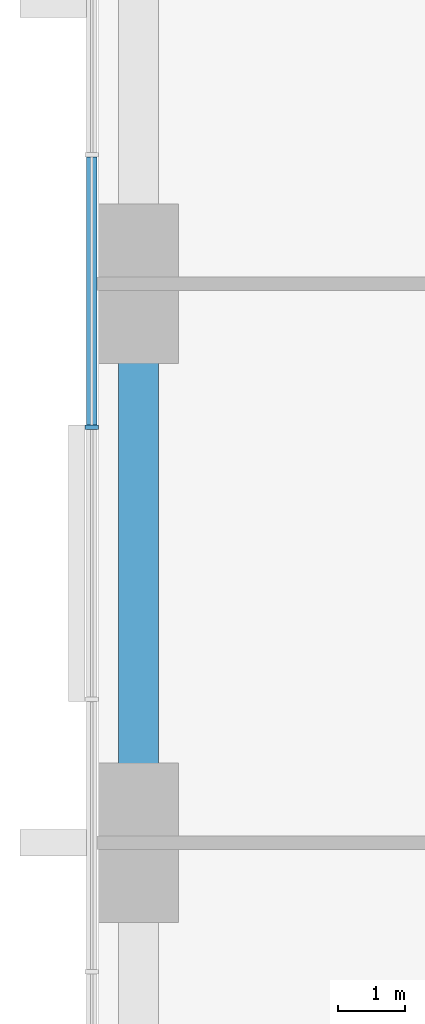
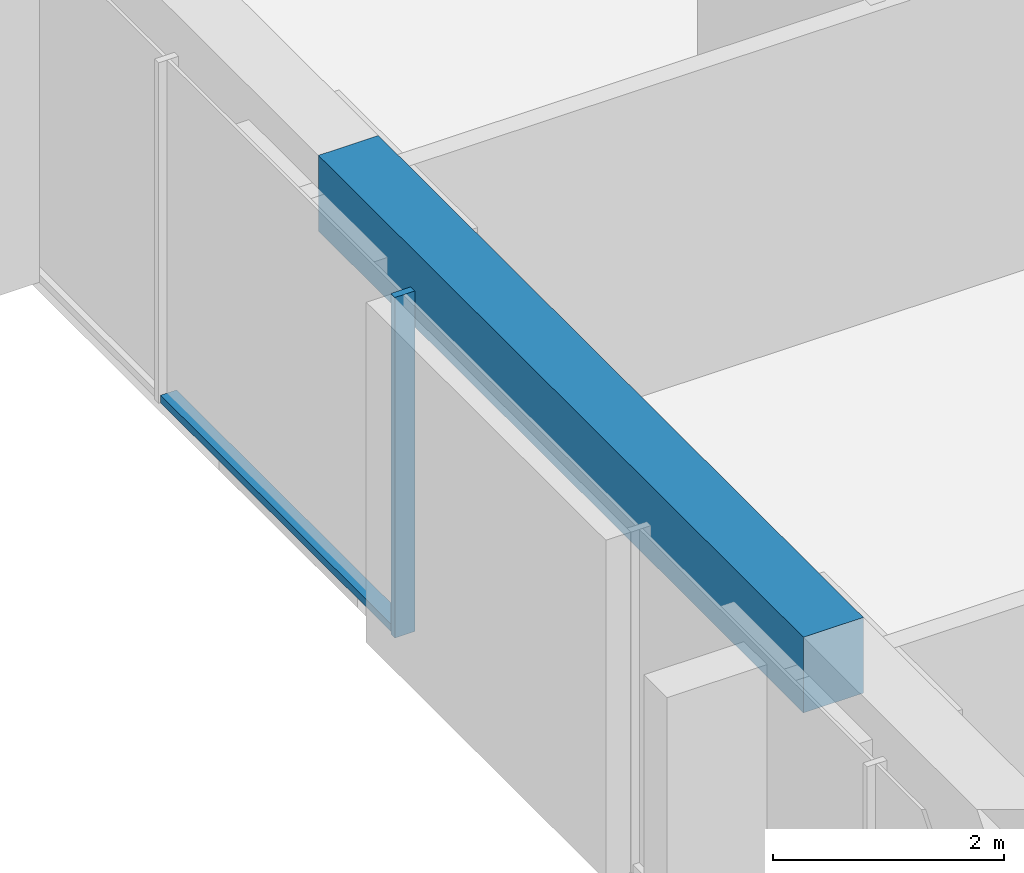
# One storey, part 3 of 13: 2 members, 1 beam, 1 element without a shape of its own.
"""IFC4 building model written with IfcOpenShell, lengths in metres."""

from ifc_helpers import new_model, si_unit, direction, frame, origin, origin_2d, place, context, subcontext, project, spatial, rectangle, extrude, material, material_profile, profile_set, type_object, element, aggregate, save


model = new_model("IFC4")

# Units and contexts
model_context = context("Model", 3, precision=1e-05, world=origin(), true_north=direction((0.0, 1.0)))
body_context = subcontext(model_context, "Body", "Model", "MODEL_VIEW")
ifc_project = project(units=[si_unit("LENGTHUNIT", "METRE"), si_unit("AREAUNIT", "SQUARE_METRE"), si_unit("VOLUMEUNIT", "CUBIC_METRE"), si_unit("PLANEANGLEUNIT", "RADIAN"), si_unit("MASSUNIT", "GRAM", prefix="KILO")], contexts=[model_context])

# Site, building, storey
site_placement = place(None, origin())
site = spatial("IfcSite", under=ifc_project, at=site_placement, CompositionType="ELEMENT")
building_placement = place(site_placement, origin())
building = spatial("IfcBuilding", under=site, at=building_placement, Name="Dunama Terrace Hotel", CompositionType="ELEMENT")
storey_placement = place(building_placement, frame((0.0, 0.0, 195.0)))
storey = spatial("IfcBuildingStorey", under=building, at=storey_placement, Name="L50", CompositionType="ELEMENT", Elevation=195.0)

# Curtain wall, members
ifc_material_1 = material(Name="Aluminium curtain wall system", Category="aluminium")
curtain_wall_type = type_object("IfcCurtainWallType", Name="Unitised fritted glass wall CW-C", PredefinedType="NOTDEFINED", material=ifc_material_1)
curtain_wall_placement = place(storey_placement, origin())
curtain_wall = element("IfcCurtainWall", 1, at=curtain_wall_placement, inside=storey, type_object=curtain_wall_type, Name="Unitised fritted glass wall CW-C L50", PredefinedType="NOTDEFINED")
ifc_material_2 = material(Name="Aluminium mullion", Category="aluminium")
ifc_material_profile_1 = material_profile(ifc_material_2, rectangle(XDim=0.070068359375, YDim=0.199951171875, at=origin_2d()), Name="CWC MULLION 70X200")
ifc_profile_set_1 = profile_set([ifc_material_profile_1], Name="Aluminium mullion")
member_type_1 = type_object("IfcMemberType", Name="CWC mullion 70x200", PredefinedType="MULLION", material=ifc_profile_set_1)
member_1_placement = place(storey_placement, frame((4.10009765625, 31.445068359375, 0.0), z_axis=(0.0, 0.0, 1.0), x_axis=(0.0, -1.0, 0.0)))
member_1 = element("IfcMember", 2, at=member_1_placement, type_object=member_type_1, Name="CWC mullion", PredefinedType="MULLION", context=body_context, shape_type="SweptSolid", body=[
    extrude(rectangle(XDim=0.070068359375, YDim=0.199951171875, at=origin_2d()), origin(), (0.0, 0.0, 1.0), 3.60009765625),
])
ifc_material_3 = material(Name="Aluminium transom", Category="aluminium")
ifc_material_profile_2 = material_profile(ifc_material_3, rectangle(XDim=0.159912109375, YDim=0.080078125, at=origin_2d()), Name="CWC TRANSOM 160X80")
ifc_profile_set_2 = profile_set([ifc_material_profile_2], Name="Aluminium transom")
member_type_2 = type_object("IfcMemberType", Name="CWC transom 160x80", PredefinedType="USERDEFINED", material=ifc_profile_set_2)
member_2_placement = place(storey_placement, frame((4.10009765625, 35.5009765625, 0.0400390625), z_axis=(0.0, -1.0, 0.0), x_axis=(1.0, 0.0, 0.0)))
member_2 = element("IfcMember", 3, at=member_2_placement, type_object=member_type_2, Name="CWC transom", ObjectType="TRANSOM", PredefinedType="USERDEFINED", context=body_context, shape_type="SweptSolid", body=[
    extrude(rectangle(XDim=0.159912109375, YDim=0.080078125, at=origin_2d()), origin(), (0.0, 0.0, 1.0), 4.02099609375),
])
aggregate(curtain_wall, [member_1, member_2])

# Beam
ifc_material_4 = material(Name="Concrete C40/50", Category="concrete")
ifc_material_profile_3 = material_profile(ifc_material_4, rectangle(XDim=0.60009765625, YDim=0.800048828125, at=origin_2d()), Name="RC 600x800")
ifc_profile_set_3 = profile_set([ifc_material_profile_3], Name="Concrete C40/50")
beam_type = type_object("IfcBeamType", Name="Edge beam RC 600x800", PredefinedType="SPANDREL", material=ifc_profile_set_3)
beam_placement = place(storey_placement, frame((4.800048828125, 25.199951171875, 3.199951171875), z_axis=(0.0, 1.0, 0.0), x_axis=(-1.0, 0.0, 0.0)))
element("IfcBeam", 4, at=beam_placement, inside=storey, type_object=beam_type, Name="Edge beam under L51", PredefinedType="SPANDREL", context=body_context, shape_type="SweptSolid", body=[
    extrude(rectangle(XDim=0.60009765625, YDim=0.800048828125, at=origin_2d()), origin(), (0.0, 0.0, 1.0), 8.400146484375),
])

save(model, "model.ifc")
